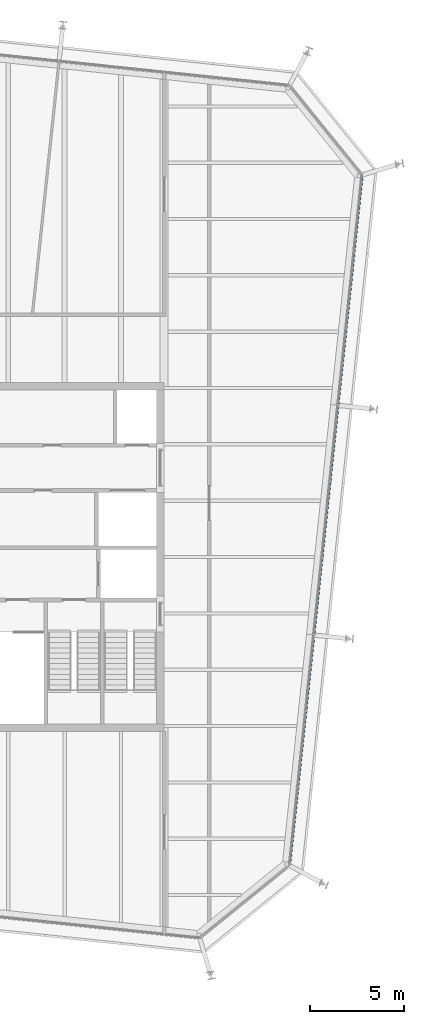
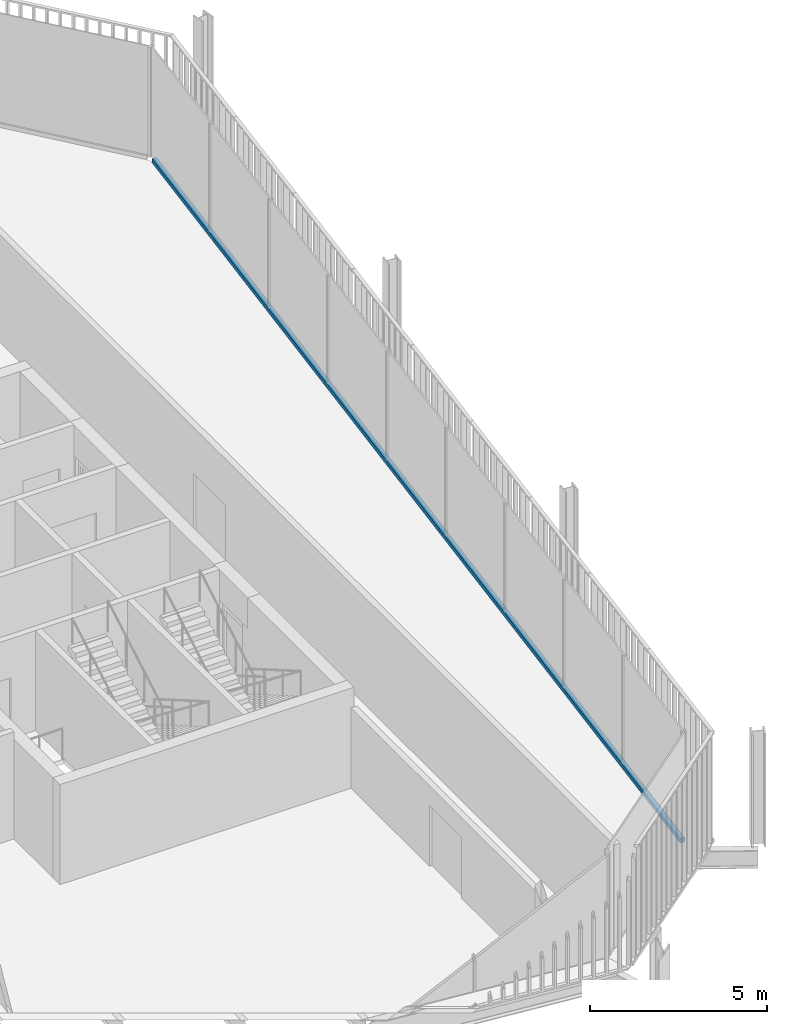
# One storey, part 10 of 19: 1 member, 1 element without a shape of its own.
"""IFC4 building model written with IfcOpenShell, lengths in metres."""

from ifc_helpers import new_model, si_unit, direction, frame, origin, origin_2d, place, context, subcontext, project, spatial, rectangle, extrude, material, layer, layer_set, material_profile, profile_set, type_object, element, aggregate, save


model = new_model("IFC4")

# Units and contexts
model_context = context("Model", 3, precision=1e-05, world=origin(), true_north=direction((0.0, 1.0)))
body_context = subcontext(model_context, "Body", "Model", "MODEL_VIEW")
ifc_project = project(units=[si_unit("LENGTHUNIT", "METRE"), si_unit("AREAUNIT", "SQUARE_METRE"), si_unit("VOLUMEUNIT", "CUBIC_METRE"), si_unit("PLANEANGLEUNIT", "RADIAN"), si_unit("MASSUNIT", "GRAM", prefix="KILO")], contexts=[model_context])

# Site, building, storey
site_placement = place(None, origin())
site = spatial("IfcSite", under=ifc_project, at=site_placement, CompositionType="ELEMENT")
building_placement = place(site_placement, origin())
building = spatial("IfcBuilding", under=site, at=building_placement, Name="Millrace Tower", CompositionType="ELEMENT")
storey_placement = place(building_placement, frame((0.0, 0.0, 338.199951171875)))
storey = spatial("IfcBuildingStorey", under=building, at=storey_placement, Name="L78", CompositionType="ELEMENT", Elevation=338.199951171875)

# Curtain wall, member
ifc_material_1 = material(Name="Aluminium and glass", Category="aluminium")
ifc_layer = layer(ifc_material_1, 0.14990234375)
ifc_layer_set = layer_set([ifc_layer], Name="Aluminium and glass")
curtain_wall_type = type_object("IfcCurtainWallType", Name="CW-1 office vision curtain wall", PredefinedType="NOTDEFINED", material=ifc_layer_set)
curtain_wall_placement = place(storey_placement, origin())
curtain_wall = element("IfcCurtainWall", 1, at=curtain_wall_placement, inside=storey, type_object=curtain_wall_type, Name="Curtain wall E-F04 L78", PredefinedType="NOTDEFINED")
ifc_material_2 = material(Name="Aluminium", Category="aluminium")
ifc_material_profile = material_profile(ifc_material_2, rectangle(XDim=0.14990234375, YDim=0.139892578125, at=origin_2d()))
ifc_profile_set = profile_set([ifc_material_profile], Name="Aluminium")
member_type = type_object("IfcMemberType", Name="CW-1 office vision curtain wall transom", PredefinedType="USERDEFINED", material=ifc_profile_set)
member_placement = place(storey_placement, frame((20.98193359375, -16.285400390625, 0.070068359375), z_axis=(0.104527916025, 0.994521952886, 0.0), x_axis=(-0.994521952886, 0.104527916025, 0.0)))
member = element("IfcMember", 2, at=member_placement, type_object=member_type, Name="CW1 transom E-F04.1", ObjectType="TRANSOM", PredefinedType="USERDEFINED", context=body_context, shape_type="SweptSolid", body=[
    extrude(rectangle(XDim=0.14990234375, YDim=0.139892578125, at=origin_2d()), origin(), (0.0, 0.0, 1.0), 36.699951171875),
])
aggregate(curtain_wall, [member])

save(model, "model.ifc")
